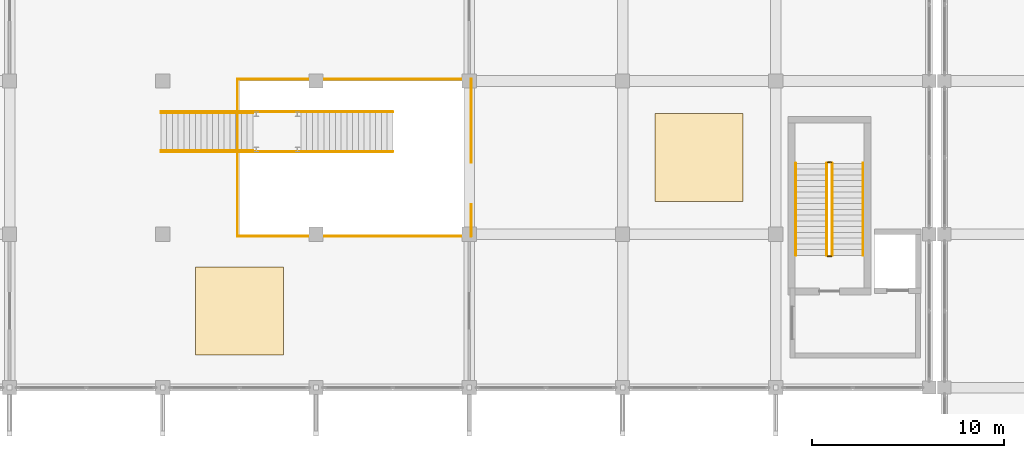
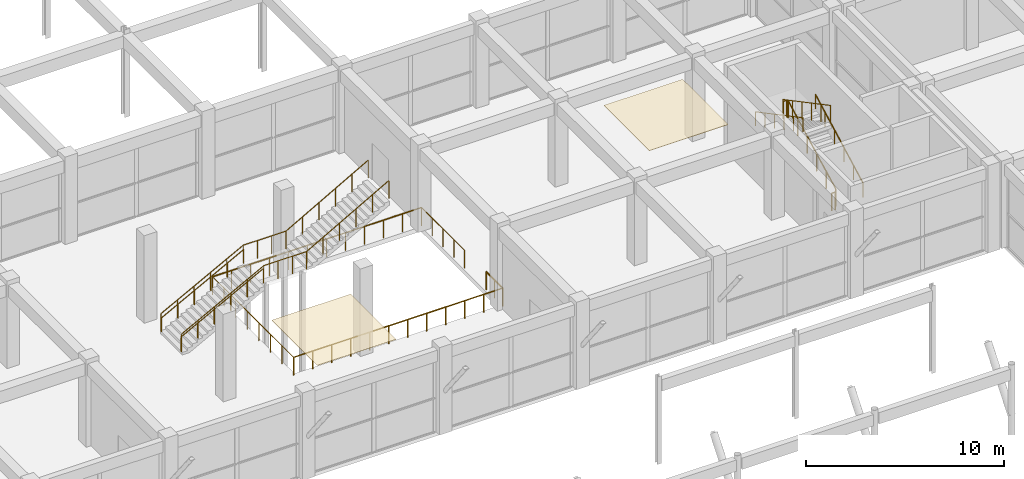
# One storey, part 62 of 69: 15 railings, 2 coverings.
"""IFC4 building model written with IfcOpenShell, lengths in metres."""

from ifc_helpers import new_model, si_unit, direction, frame, origin, origin_2d, place, context, subcontext, project, spatial, rectangle, circle, extrude, material, layer, layer_set, type_object, element, save


model = new_model("IFC4")

# Units and contexts
model_context = context("Model", 3, precision=1e-05, world=origin(), true_north=direction((0.0, 1.0)))
body_context = subcontext(model_context, "Body", "Model", "MODEL_VIEW")
ifc_project = project(units=[si_unit("LENGTHUNIT", "METRE"), si_unit("AREAUNIT", "SQUARE_METRE"), si_unit("VOLUMEUNIT", "CUBIC_METRE"), si_unit("PLANEANGLEUNIT", "RADIAN"), si_unit("MASSUNIT", "GRAM", prefix="KILO")], contexts=[model_context])

# Site, building, storey
site_placement = place(None, origin())
site = spatial("IfcSite", under=ifc_project, at=site_placement, CompositionType="ELEMENT")
building_placement = place(site_placement, origin())
building = spatial("IfcBuilding", under=site, at=building_placement, Name="Kenh Van Central Station", CompositionType="ELEMENT")
storey_placement = place(building_placement, frame((0.0, 0.0, 5.39990234375)))
storey = spatial("IfcBuildingStorey", under=building, at=storey_placement, Name="L01", CompositionType="ELEMENT", Elevation=5.39990234375)

# Coverings
ifc_material_1 = material(Name="Perforated acoustic mineral ceiling board")
ifc_layer = layer(ifc_material_1, 0.02490234375, Name="Perforated acoustic mineral ceiling board")
ifc_layer_set = layer_set([ifc_layer], Name="Perforated acoustic mineral ceiling board")
covering_type = type_object("IfcCoveringType", Name="COV-CEIL-ACOUST", PredefinedType="CEILING", material=ifc_layer_set)
for number, where, z_axis, x_axis, name in (
    (1, (84.0, 20.0, 5.107177734375), (0.0, 0.0, 1.0), (1.0, 0.0, 0.0), "L01 acoustic ceiling panel 032"),
    (2, (108.0, 28.0, 5.107177734375), (0.0, 0.0, 1.0), (1.0, 0.0, 0.0), "L01 acoustic ceiling panel 033"),
):
    element("IfcCovering", number, at=place(storey_placement, frame(where, z_axis=z_axis, x_axis=x_axis)), inside=storey, type_object=covering_type, Name=name, PredefinedType="CEILING", context=body_context, shape_type="SweptSolid", body=[
        extrude(rectangle(XDim=4.60009765625, YDim=4.60009765625, at=origin_2d()), origin(), (0.0, 0.0, 1.0), 0.02490234375),
    ])

# Railings
ifc_material_2 = material(Name="Champagne anodised aluminium", Category="aluminium")
railing_type_1 = type_object("IfcRailingType", Name="RAIL-CORE-GRD110", PredefinedType="GUARDRAIL", material=ifc_material_2)
railing_1_placement = place(storey_placement, frame((114.949951171875, 22.89990234375, 0.158935546875)))
element("IfcRailing", 3, at=railing_1_placement, inside=storey, type_object=railing_type_1, Name="L01 ST-04 stair guard 1", PredefinedType="GUARDRAIL", context=body_context, shape_type="SweptSolid", body=[
    extrude(circle(Radius=0.02392578125, at=origin_2d()), frame((0.0, 0.0, 1.076171875), z_axis=(0.0, 0.883783542688, 0.467895981682), x_axis=(-1.0, 0.0, 0.0)), (0.0, 0.0, 1.0), 5.43115234375),
    extrude(circle(Radius=0.02099609375, at=origin_2d()), origin(), (0.0, 0.0, 1.0), 1.052001953125),
    extrude(circle(Radius=0.02099609375, at=origin_2d()), frame((0.0, 0.9599609375, 0.50830078125)), (0.0, 0.0, 1.0), 1.052001953125),
    extrude(circle(Radius=0.02099609375, at=origin_2d()), frame((0.0, 1.919921875, 1.0166015625)), (0.0, 0.0, 1.0), 1.052001953125),
    extrude(circle(Radius=0.02099609375, at=origin_2d()), frame((0.0, 2.880126953125, 1.524658203125)), (0.0, 0.0, 1.0), 1.052001953125),
    extrude(circle(Radius=0.02099609375, at=origin_2d()), frame((0.0, 3.840087890625, 2.032958984375)), (0.0, 0.0, 1.0), 1.052001953125),
    extrude(circle(Radius=0.02099609375, at=origin_2d()), frame((0.0, 4.800048828125, 2.541259765625)), (0.0, 0.0, 1.0), 1.052001953125),
])
railing_2_placement = place(storey_placement, frame((114.89990234375, 27.75, 2.7001953125)))
element("IfcRailing", 4, at=railing_2_placement, inside=storey, type_object=railing_type_1, Name="L01 ST-04 stair guard 2", PredefinedType="GUARDRAIL", context=body_context, shape_type="SweptSolid", body=[
    extrude(circle(Radius=0.02392578125, at=origin_2d()), frame((0.0, 0.0, 1.076171875), z_axis=(-1.0, 0.0, 0.0), x_axis=(0.0, -1.0, 0.0)), (0.0, 0.0, 1.0), 0.199951171875),
    extrude(circle(Radius=0.02099609375, at=origin_2d()), origin(), (0.0, 0.0, 1.0), 1.052001953125),
    extrude(circle(Radius=0.02099609375, at=origin_2d()), frame((-0.199951171875, 0.0, 0.0)), (0.0, 0.0, 1.0), 1.052001953125),
])
railing_3_placement = place(storey_placement, frame((114.64990234375, 27.699951171875, 2.85888671875)))
element("IfcRailing", 5, at=railing_3_placement, inside=storey, type_object=railing_type_1, Name="L01 ST-04 stair guard 3", PredefinedType="GUARDRAIL", context=body_context, shape_type="SweptSolid", body=[
    extrude(circle(Radius=0.02392578125, at=origin_2d()), frame((0.0, 0.0, 1.076171875), z_axis=(0.0, -0.883783542688, 0.467895981682), x_axis=(1.0, 0.0, 0.0)), (0.0, 0.0, 1.0), 5.43115234375),
    extrude(circle(Radius=0.02099609375, at=origin_2d()), origin(), (0.0, 0.0, 1.0), 1.052001953125),
    extrude(circle(Radius=0.02099609375, at=origin_2d()), frame((0.0, -0.9599609375, 0.50830078125)), (0.0, 0.0, 1.0), 1.052001953125),
    extrude(circle(Radius=0.02099609375, at=origin_2d()), frame((0.0, -1.919921875, 1.0166015625)), (0.0, 0.0, 1.0), 1.052001953125),
    extrude(circle(Radius=0.02099609375, at=origin_2d()), frame((0.0, -2.880126953125, 1.524658203125)), (0.0, 0.0, 1.0), 1.052001953125),
    extrude(circle(Radius=0.02099609375, at=origin_2d()), frame((0.0, -3.840087890625, 2.032958984375)), (0.0, 0.0, 1.0), 1.052001953125),
    extrude(circle(Radius=0.02099609375, at=origin_2d()), frame((0.0, -4.800048828125, 2.541259765625)), (0.0, 0.0, 1.0), 1.052001953125),
])
railing_4_placement = place(storey_placement, frame((114.89990234375, 22.85009765625, 0.0)))
element("IfcRailing", 6, at=railing_4_placement, inside=storey, type_object=railing_type_1, Name="L01 ST-04 stair guard 4", PredefinedType="GUARDRAIL", context=body_context, shape_type="SweptSolid", body=[
    extrude(circle(Radius=0.02392578125, at=origin_2d()), frame((0.0, 0.0, 1.076171875), z_axis=(-1.0, 0.0, 0.0), x_axis=(0.0, -1.0, 0.0)), (0.0, 0.0, 1.0), 0.199951171875),
    extrude(circle(Radius=0.02099609375, at=origin_2d()), origin(), (0.0, 0.0, 1.0), 1.052001953125),
    extrude(circle(Radius=0.02099609375, at=origin_2d()), frame((-0.199951171875, 0.0, 0.0)), (0.0, 0.0, 1.0), 1.052001953125),
])
railing_type_2 = type_object("IfcRailingType", Name="RAIL-CORE-HND90", PredefinedType="HANDRAIL", material=ifc_material_2)
railing_5_placement = place(storey_placement, frame((116.550048828125, 22.89990234375, 0.158935546875)))
element("IfcRailing", 7, at=railing_5_placement, inside=storey, type_object=railing_type_2, Name="L01 ST-04 stair handrail 1", PredefinedType="HANDRAIL", context=body_context, shape_type="SweptSolid", body=[
    extrude(circle(Radius=0.02392578125, at=origin_2d()), frame((0.0, 0.0, 0.8759765625), z_axis=(0.0, 0.883783542688, 0.467895981682), x_axis=(-1.0, 0.0, 0.0)), (0.0, 0.0, 1.0), 5.43115234375),
    extrude(circle(Radius=0.02099609375, at=origin_2d()), origin(), (0.0, 0.0, 1.0), 0.851806640625),
    extrude(circle(Radius=0.02099609375, at=origin_2d()), frame((0.0, 0.9599609375, 0.50830078125)), (0.0, 0.0, 1.0), 0.851806640625),
    extrude(circle(Radius=0.02099609375, at=origin_2d()), frame((0.0, 1.919921875, 1.0166015625)), (0.0, 0.0, 1.0), 0.851806640625),
    extrude(circle(Radius=0.02099609375, at=origin_2d()), frame((0.0, 2.880126953125, 1.524658203125)), (0.0, 0.0, 1.0), 0.851806640625),
    extrude(circle(Radius=0.02099609375, at=origin_2d()), frame((0.0, 3.840087890625, 2.032958984375)), (0.0, 0.0, 1.0), 0.851806640625),
    extrude(circle(Radius=0.02099609375, at=origin_2d()), frame((0.0, 4.800048828125, 2.541259765625)), (0.0, 0.0, 1.0), 0.851806640625),
])
railing_6_placement = place(storey_placement, frame((113.050048828125, 27.699951171875, 2.85888671875)))
element("IfcRailing", 8, at=railing_6_placement, inside=storey, type_object=railing_type_2, Name="L01 ST-04 stair handrail 2", PredefinedType="HANDRAIL", context=body_context, shape_type="SweptSolid", body=[
    extrude(circle(Radius=0.02392578125, at=origin_2d()), frame((0.0, 0.0, 0.8759765625), z_axis=(0.0, -0.883783542688, 0.467895981682), x_axis=(1.0, 0.0, 0.0)), (0.0, 0.0, 1.0), 5.43115234375),
    extrude(circle(Radius=0.02099609375, at=origin_2d()), origin(), (0.0, 0.0, 1.0), 0.851806640625),
    extrude(circle(Radius=0.02099609375, at=origin_2d()), frame((0.0, -0.9599609375, 0.50830078125)), (0.0, 0.0, 1.0), 0.851806640625),
    extrude(circle(Radius=0.02099609375, at=origin_2d()), frame((0.0, -1.919921875, 1.0166015625)), (0.0, 0.0, 1.0), 0.851806640625),
    extrude(circle(Radius=0.02099609375, at=origin_2d()), frame((0.0, -2.880126953125, 1.524658203125)), (0.0, 0.0, 1.0), 0.851806640625),
    extrude(circle(Radius=0.02099609375, at=origin_2d()), frame((0.0, -3.840087890625, 2.032958984375)), (0.0, 0.0, 1.0), 0.851806640625),
    extrude(circle(Radius=0.02099609375, at=origin_2d()), frame((0.0, -4.800048828125, 2.541259765625)), (0.0, 0.0, 1.0), 0.851806640625),
])
for number, where, name in (
    (9, (79.905029296875, 28.3701171875, 0.158935546875), "Departure Concourse Paid Bridge Stair handrail 1"),
    (10, (79.905029296875, 30.330078125, 0.158935546875), "Departure Concourse Paid Bridge Stair handrail 2"),
):
    element("IfcRailing", number, at=place(storey_placement, frame(where)), inside=storey, type_object=railing_type_2, Name=name, PredefinedType="HANDRAIL", context=body_context, shape_type="SweptSolid", body=[
        extrude(circle(Radius=0.02392578125, at=origin_2d()), frame((0.0, 0.0, 0.8759765625), z_axis=(0.883783542688, 0.0, 0.467895981682), x_axis=(0.0, 1.0, 0.0)), (0.0, 0.0, 1.0), 5.43115234375),
        extrude(circle(Radius=0.02099609375, at=origin_2d()), origin(), (0.0, 0.0, 1.0), 0.851806640625),
        extrude(circle(Radius=0.02099609375, at=origin_2d()), frame((0.9599609375, 0.0, 0.50830078125)), (0.0, 0.0, 1.0), 0.851806640625),
        extrude(circle(Radius=0.02099609375, at=origin_2d()), frame((1.919921875, 0.0, 1.0166015625)), (0.0, 0.0, 1.0), 0.851806640625),
        extrude(circle(Radius=0.02099609375, at=origin_2d()), frame((2.880126953125, 0.0, 1.524658203125)), (0.0, 0.0, 1.0), 0.851806640625),
        extrude(circle(Radius=0.02099609375, at=origin_2d()), frame((3.840087890625, 0.0, 2.032958984375)), (0.0, 0.0, 1.0), 0.851806640625),
        extrude(circle(Radius=0.02099609375, at=origin_2d()), frame((4.800048828125, 0.0, 2.541259765625)), (0.0, 0.0, 1.0), 0.851806640625),
    ])
railing_type_3 = type_object("IfcRailingType", Name="RAIL-PUB-BAL112", PredefinedType="BALUSTRADE", material=ifc_material_2)
railing_7_placement = place(storey_placement, frame((79.905029296875, 28.31005859375, 0.158935546875)))
element("IfcRailing", 11, at=railing_7_placement, inside=storey, type_object=railing_type_3, Name="Departure Concourse Paid Bridge Stair balustrade 1", PredefinedType="BALUSTRADE", context=body_context, shape_type="SweptSolid", body=[
    extrude(circle(Radius=0.02392578125, at=origin_2d()), frame((0.0, 0.0, 1.09619140625), z_axis=(0.883783542688, 0.0, 0.467895981682), x_axis=(0.0, 1.0, 0.0)), (0.0, 0.0, 1.0), 5.43115234375),
    extrude(circle(Radius=0.02392578125, at=origin_2d()), frame((4.800048828125, 0.0, 3.63720703125), z_axis=(1.0, 0.0, 0.0), x_axis=(0.0, 1.0, 0.0)), (0.0, 0.0, 1.0), 2.5),
    extrude(circle(Radius=0.02392578125, at=origin_2d()), frame((7.300048828125, 0.0, 3.63720703125), z_axis=(0.871570801301, 0.0, 0.490269658779), x_axis=(0.0, 1.0, 0.0)), (0.0, 0.0, 1.0), 5.507080078125),
    extrude(circle(Radius=0.02099609375, at=origin_2d()), origin(), (0.0, 0.0, 1.0), 1.072021484375),
    extrude(circle(Radius=0.02099609375, at=origin_2d()), frame((0.9599609375, 0.0, 0.50830078125)), (0.0, 0.0, 1.0), 1.072021484375),
    extrude(circle(Radius=0.02099609375, at=origin_2d()), frame((1.919921875, 0.0, 1.0166015625)), (0.0, 0.0, 1.0), 1.072021484375),
    extrude(circle(Radius=0.02099609375, at=origin_2d()), frame((2.880126953125, 0.0, 1.524658203125)), (0.0, 0.0, 1.0), 1.072021484375),
    extrude(circle(Radius=0.02099609375, at=origin_2d()), frame((3.840087890625, 0.0, 2.032958984375)), (0.0, 0.0, 1.0), 1.072021484375),
    extrude(circle(Radius=0.02099609375, at=origin_2d()), frame((4.800048828125, 0.0, 2.541259765625)), (0.0, 0.0, 1.0), 1.072021484375),
    extrude(circle(Radius=0.02099609375, at=origin_2d()), frame((5.63330078125, 0.0, 2.541259765625)), (0.0, 0.0, 1.0), 1.072021484375),
    extrude(circle(Radius=0.02099609375, at=origin_2d()), frame((6.466796875, 0.0, 2.541259765625)), (0.0, 0.0, 1.0), 1.072021484375),
    extrude(circle(Radius=0.02099609375, at=origin_2d()), frame((7.300048828125, 0.0, 2.541259765625)), (0.0, 0.0, 1.0), 1.072021484375),
    extrude(circle(Radius=0.02099609375, at=origin_2d()), frame((8.260009765625, 0.0, 3.081298828125)), (0.0, 0.0, 1.0), 1.072021484375),
    extrude(circle(Radius=0.02099609375, at=origin_2d()), frame((9.219970703125, 0.0, 3.621337890625)), (0.0, 0.0, 1.0), 1.072021484375),
    extrude(circle(Radius=0.02099609375, at=origin_2d()), frame((10.179931640625, 0.0, 4.1611328125)), (0.0, 0.0, 1.0), 1.072021484375),
    extrude(circle(Radius=0.02099609375, at=origin_2d()), frame((11.139892578125, 0.0, 4.701171875)), (0.0, 0.0, 1.0), 1.072021484375),
    extrude(circle(Radius=0.02099609375, at=origin_2d()), frame((12.099853515625, 0.0, 5.2412109375)), (0.0, 0.0, 1.0), 1.072021484375),
])
railing_8_placement = place(storey_placement, frame((79.905029296875, 30.389892578125, 0.158935546875)))
element("IfcRailing", 12, at=railing_8_placement, inside=storey, type_object=railing_type_3, Name="Departure Concourse Paid Bridge Stair balustrade 2", PredefinedType="BALUSTRADE", context=body_context, shape_type="SweptSolid", body=[
    extrude(circle(Radius=0.02392578125, at=origin_2d()), frame((0.0, 0.0, 1.09619140625), z_axis=(0.883783542688, 0.0, 0.467895981682), x_axis=(0.0, 1.0, 0.0)), (0.0, 0.0, 1.0), 5.43115234375),
    extrude(circle(Radius=0.02392578125, at=origin_2d()), frame((4.800048828125, 0.0, 3.63720703125), z_axis=(1.0, 0.0, 0.0), x_axis=(0.0, 1.0, 0.0)), (0.0, 0.0, 1.0), 2.5),
    extrude(circle(Radius=0.02392578125, at=origin_2d()), frame((7.300048828125, 0.0, 3.63720703125), z_axis=(0.871570801301, 0.0, 0.490269658779), x_axis=(0.0, 1.0, 0.0)), (0.0, 0.0, 1.0), 5.507080078125),
    extrude(circle(Radius=0.02099609375, at=origin_2d()), origin(), (0.0, 0.0, 1.0), 1.072021484375),
    extrude(circle(Radius=0.02099609375, at=origin_2d()), frame((0.9599609375, 0.0, 0.50830078125)), (0.0, 0.0, 1.0), 1.072021484375),
    extrude(circle(Radius=0.02099609375, at=origin_2d()), frame((1.919921875, 0.0, 1.0166015625)), (0.0, 0.0, 1.0), 1.072021484375),
    extrude(circle(Radius=0.02099609375, at=origin_2d()), frame((2.880126953125, 0.0, 1.524658203125)), (0.0, 0.0, 1.0), 1.072021484375),
    extrude(circle(Radius=0.02099609375, at=origin_2d()), frame((3.840087890625, 0.0, 2.032958984375)), (0.0, 0.0, 1.0), 1.072021484375),
    extrude(circle(Radius=0.02099609375, at=origin_2d()), frame((4.800048828125, 0.0, 2.541259765625)), (0.0, 0.0, 1.0), 1.072021484375),
    extrude(circle(Radius=0.02099609375, at=origin_2d()), frame((5.63330078125, 0.0, 2.541259765625)), (0.0, 0.0, 1.0), 1.072021484375),
    extrude(circle(Radius=0.02099609375, at=origin_2d()), frame((6.466796875, 0.0, 2.541259765625)), (0.0, 0.0, 1.0), 1.072021484375),
    extrude(circle(Radius=0.02099609375, at=origin_2d()), frame((7.300048828125, 0.0, 2.541259765625)), (0.0, 0.0, 1.0), 1.072021484375),
    extrude(circle(Radius=0.02099609375, at=origin_2d()), frame((8.260009765625, 0.0, 3.081298828125)), (0.0, 0.0, 1.0), 1.072021484375),
    extrude(circle(Radius=0.02099609375, at=origin_2d()), frame((9.219970703125, 0.0, 3.621337890625)), (0.0, 0.0, 1.0), 1.072021484375),
    extrude(circle(Radius=0.02099609375, at=origin_2d()), frame((10.179931640625, 0.0, 4.1611328125)), (0.0, 0.0, 1.0), 1.072021484375),
    extrude(circle(Radius=0.02099609375, at=origin_2d()), frame((11.139892578125, 0.0, 4.701171875)), (0.0, 0.0, 1.0), 1.072021484375),
    extrude(circle(Radius=0.02099609375, at=origin_2d()), frame((12.099853515625, 0.0, 5.2412109375)), (0.0, 0.0, 1.0), 1.072021484375),
])
for number, where, name in (
    (13, (83.89990234375, 23.89990234375, 0.0), "L01 atrium void balustrade 06"),
    (14, (83.89990234375, 32.10009765625, 0.0), "L01 atrium void balustrade 07"),
):
    element("IfcRailing", number, at=place(storey_placement, frame(where)), inside=storey, type_object=railing_type_3, Name=name, PredefinedType="BALUSTRADE", context=body_context, shape_type="SweptSolid", body=[
        extrude(circle(Radius=0.02392578125, at=origin_2d()), frame((0.0, 0.0, 1.09619140625), z_axis=(1.0, 0.0, 0.0), x_axis=(0.0, 1.0, 0.0)), (0.0, 0.0, 1.0), 12.2001953125),
        extrude(circle(Radius=0.02099609375, at=origin_2d()), origin(), (0.0, 0.0, 1.0), 1.072021484375),
        extrude(circle(Radius=0.02099609375, at=origin_2d()), frame((1.109130859375, 0.0, 0.0)), (0.0, 0.0, 1.0), 1.072021484375),
        extrude(circle(Radius=0.02099609375, at=origin_2d()), frame((2.21826171875, 0.0, 0.0)), (0.0, 0.0, 1.0), 1.072021484375),
        extrude(circle(Radius=0.02099609375, at=origin_2d()), frame((3.327392578125, 0.0, 0.0)), (0.0, 0.0, 1.0), 1.072021484375),
        extrude(circle(Radius=0.02099609375, at=origin_2d()), frame((4.4365234375, 0.0, 0.0)), (0.0, 0.0, 1.0), 1.072021484375),
        extrude(circle(Radius=0.02099609375, at=origin_2d()), frame((5.545654296875, 0.0, 0.0)), (0.0, 0.0, 1.0), 1.072021484375),
        extrude(circle(Radius=0.02099609375, at=origin_2d()), frame((6.654541015625, 0.0, 0.0)), (0.0, 0.0, 1.0), 1.072021484375),
        extrude(circle(Radius=0.02099609375, at=origin_2d()), frame((7.763671875, 0.0, 0.0)), (0.0, 0.0, 1.0), 1.072021484375),
        extrude(circle(Radius=0.02099609375, at=origin_2d()), frame((8.872802734375, 0.0, 0.0)), (0.0, 0.0, 1.0), 1.072021484375),
        extrude(circle(Radius=0.02099609375, at=origin_2d()), frame((9.98193359375, 0.0, 0.0)), (0.0, 0.0, 1.0), 1.072021484375),
        extrude(circle(Radius=0.02099609375, at=origin_2d()), frame((11.091064453125, 0.0, 0.0)), (0.0, 0.0, 1.0), 1.072021484375),
        extrude(circle(Radius=0.02099609375, at=origin_2d()), frame((12.2001953125, 0.0, 0.0)), (0.0, 0.0, 1.0), 1.072021484375),
    ])
railing_9_placement = place(storey_placement, frame((83.89990234375, 23.89990234375, 0.0)))
element("IfcRailing", 15, at=railing_9_placement, inside=storey, type_object=railing_type_3, Name="L01 atrium void balustrade 08", PredefinedType="BALUSTRADE", context=body_context, shape_type="SweptSolid", body=[
    extrude(circle(Radius=0.02392578125, at=origin_2d()), frame((0.0, 0.0, 1.09619140625), z_axis=(0.0, 1.0, 0.0), x_axis=(-1.0, 0.0, 0.0)), (0.0, 0.0, 1.0), 8.2001953125),
    extrude(circle(Radius=0.02099609375, at=origin_2d()), origin(), (0.0, 0.0, 1.0), 1.072021484375),
    extrude(circle(Radius=0.02099609375, at=origin_2d()), frame((0.0, 1.17138671875, 0.0)), (0.0, 0.0, 1.0), 1.072021484375),
    extrude(circle(Radius=0.02099609375, at=origin_2d()), frame((0.0, 2.343017578125, 0.0)), (0.0, 0.0, 1.0), 1.072021484375),
    extrude(circle(Radius=0.02099609375, at=origin_2d()), frame((0.0, 3.514404296875, 0.0)), (0.0, 0.0, 1.0), 1.072021484375),
    extrude(circle(Radius=0.02099609375, at=origin_2d()), frame((0.0, 4.685791015625, 0.0)), (0.0, 0.0, 1.0), 1.072021484375),
    extrude(circle(Radius=0.02099609375, at=origin_2d()), frame((0.0, 5.857177734375, 0.0)), (0.0, 0.0, 1.0), 1.072021484375),
    extrude(circle(Radius=0.02099609375, at=origin_2d()), frame((0.0, 7.02880859375, 0.0)), (0.0, 0.0, 1.0), 1.072021484375),
    extrude(circle(Radius=0.02099609375, at=origin_2d()), frame((0.0, 8.2001953125, 0.0)), (0.0, 0.0, 1.0), 1.072021484375),
])
railing_10_placement = place(storey_placement, frame((96.10009765625, 23.89990234375, 0.0)))
element("IfcRailing", 16, at=railing_10_placement, inside=storey, type_object=railing_type_3, Name="L01 atrium void balustrade 09", PredefinedType="BALUSTRADE", context=body_context, shape_type="SweptSolid", body=[
    extrude(circle(Radius=0.02392578125, at=origin_2d()), frame((0.0, 0.0, 1.09619140625), z_axis=(0.0, 1.0, 0.0), x_axis=(-1.0, 0.0, 0.0)), (0.0, 0.0, 1.0), 1.650146484375),
    extrude(circle(Radius=0.02099609375, at=origin_2d()), origin(), (0.0, 0.0, 1.0), 1.072021484375),
    extrude(circle(Radius=0.02099609375, at=origin_2d()), frame((0.0, 0.8251953125, 0.0)), (0.0, 0.0, 1.0), 1.072021484375),
    extrude(circle(Radius=0.02099609375, at=origin_2d()), frame((0.0, 1.650146484375, 0.0)), (0.0, 0.0, 1.0), 1.072021484375),
])
railing_11_placement = place(storey_placement, frame((96.10009765625, 27.75, 0.0)))
element("IfcRailing", 17, at=railing_11_placement, inside=storey, type_object=railing_type_3, Name="L01 atrium void balustrade 10", PredefinedType="BALUSTRADE", context=body_context, shape_type="SweptSolid", body=[
    extrude(circle(Radius=0.02392578125, at=origin_2d()), frame((0.0, 0.0, 1.09619140625), z_axis=(0.0, 1.0, 0.0), x_axis=(-1.0, 0.0, 0.0)), (0.0, 0.0, 1.0), 4.35009765625),
    extrude(circle(Radius=0.02099609375, at=origin_2d()), origin(), (0.0, 0.0, 1.0), 1.072021484375),
    extrude(circle(Radius=0.02099609375, at=origin_2d()), frame((0.0, 1.08740234375, 0.0)), (0.0, 0.0, 1.0), 1.072021484375),
    extrude(circle(Radius=0.02099609375, at=origin_2d()), frame((0.0, 2.175048828125, 0.0)), (0.0, 0.0, 1.0), 1.072021484375),
    extrude(circle(Radius=0.02099609375, at=origin_2d()), frame((0.0, 3.2626953125, 0.0)), (0.0, 0.0, 1.0), 1.072021484375),
    extrude(circle(Radius=0.02099609375, at=origin_2d()), frame((0.0, 4.35009765625, 0.0)), (0.0, 0.0, 1.0), 1.072021484375),
])

save(model, "model.ifc")
